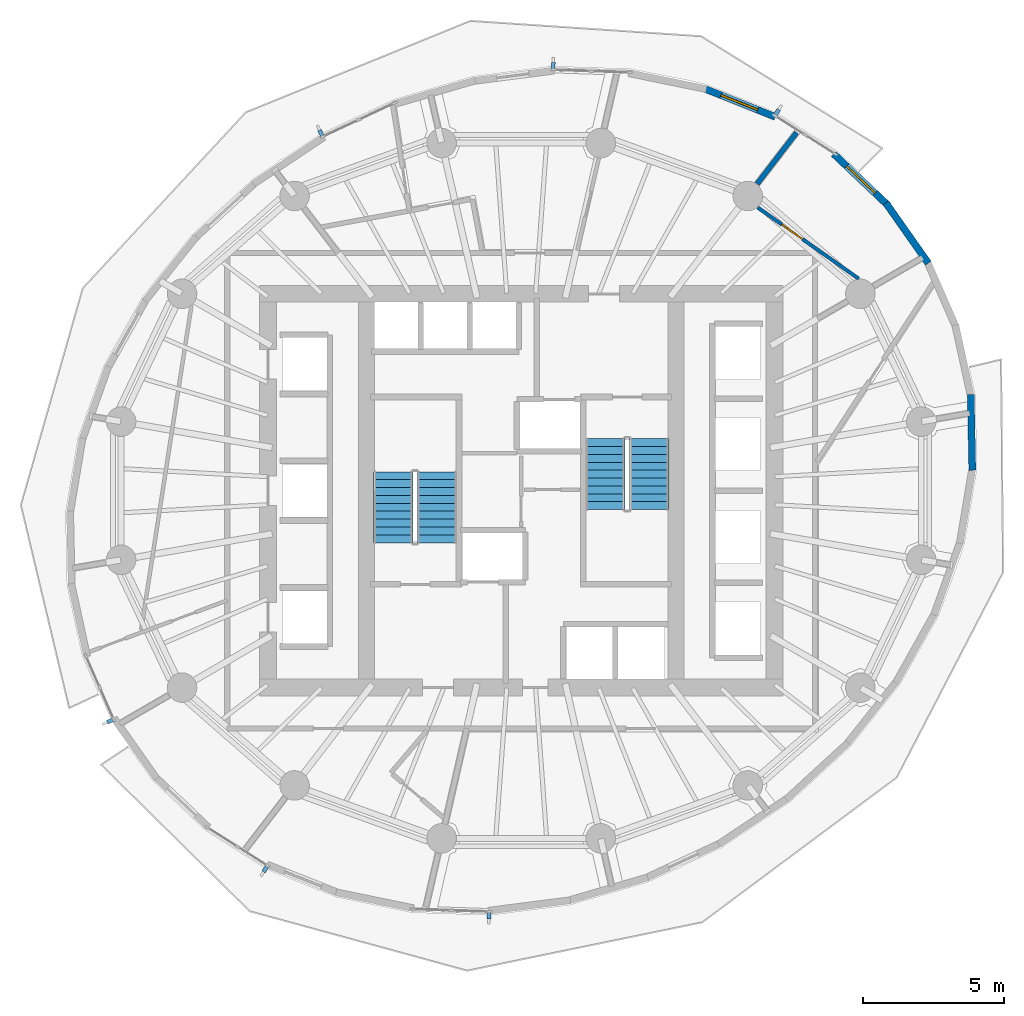
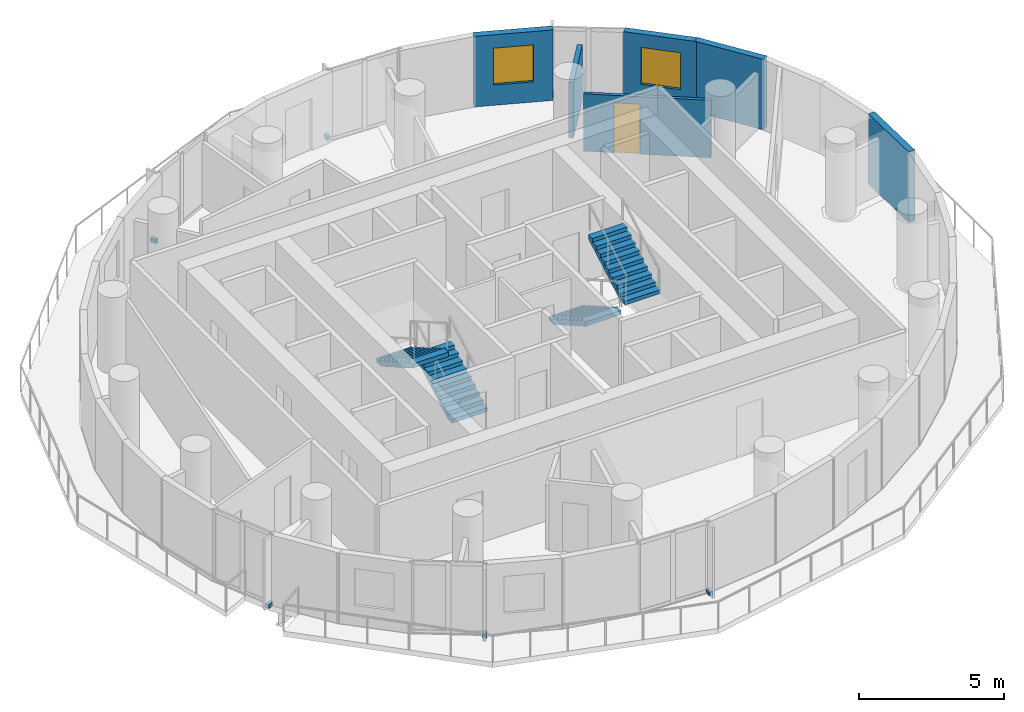
# One storey, part 8 of 13: 6 discrete accessories, 6 walls, 4 stair flights, 2 windows, 1 door, 3 openings, 2 elements without a shape of their own.
"""IFC4 building model written with IfcOpenShell, lengths in metres."""

from ifc_helpers import new_model, si_unit, direction, frame, frame_2d, origin, origin_2d, place, context, subcontext, project, spatial, polyline, rectangle, outline, extrude, material, layer, layer_set, type_object, element, fill, aggregate, save


model = new_model("IFC4")

# Units and contexts
model_context = context("Model", 3, precision=1e-05, world=origin(), true_north=direction((0.0, 1.0)))
body_context = subcontext(model_context, "Body", "Model", "MODEL_VIEW")
ifc_project = project(units=[si_unit("LENGTHUNIT", "METRE"), si_unit("AREAUNIT", "SQUARE_METRE"), si_unit("VOLUMEUNIT", "CUBIC_METRE"), si_unit("PLANEANGLEUNIT", "RADIAN"), si_unit("MASSUNIT", "GRAM", prefix="KILO")], contexts=[model_context])

# Site, building, storey
site_placement = place(None, origin())
site = spatial("IfcSite", under=ifc_project, at=site_placement, CompositionType="ELEMENT")
building_placement = place(site_placement, origin())
building = spatial("IfcBuilding", under=site, at=building_placement, Name="Veldorim Arch Residences", CompositionType="ELEMENT")
storey_placement = place(building_placement, frame((0.0, 0.0, 120.159912109375)))
storey = spatial("IfcBuildingStorey", under=building, at=storey_placement, Name="L35", CompositionType="ELEMENT", Elevation=120.159912109375)

# Wall, opening, door
ifc_material_1 = material(Name="Acoustic Gypsum Board", Category="gypsum")
ifc_layer_1 = layer(ifc_material_1, 0.125, Name="Acoustic Stud Room Partition Wall 125")
ifc_layer_set_1 = layer_set([ifc_layer_1], Name="Acoustic Gypsum Board")
wall_type_1 = type_object("IfcWallType", Name="Acoustic Stud Room Partition Wall 125", PredefinedType="PARTITIONING", material=ifc_layer_set_1)
wall_1_placement = place(storey_placement, frame((40.40771484375, 34.067138671875, 0.0), z_axis=(0.0, 0.0, 1.0), x_axis=(0.817418286796, -0.576044568078, 0.0)))
wall_1 = element("IfcWall", 1, at=wall_1_placement, inside=storey, type_object=wall_type_1, Name="L35 interior wall WL-RES-L35-014", PredefinedType="PARTITIONING", context=body_context, shape_type="SweptSolid", body=[
    extrude(rectangle(XDim=4.39892578125, YDim=0.125, at=frame_2d((2.199462890625, 0.0))), origin(), (0.0, 0.0, 1.0), 2.411376953125),
])
opening_1_placement = place(wall_1_placement, frame((1.049560546875, 0.0, 0.0)))
opening_1 = element("IfcOpeningElement", 2, at=opening_1_placement, cuts=wall_1, Name="Opening DR-INT", PredefinedType="OPENING", context=body_context, shape_type="SweptSolid", body=[
    extrude(rectangle(XDim=0.89990234375, YDim=2.10009765625, at=frame_2d((0.449951171875, 1.050048828125))), frame((0.0, 0.072509765625, 0.0), z_axis=(0.0, -1.0, 0.0), x_axis=(1.0, 0.0, 0.0)), (0.0, 0.0, 1.0), 0.14501953125),
])
ifc_material_2 = material(Name="Engineered Timber", Category="wood")
door_type = type_object("IfcDoorType", Name="Apartment Internal Room Timber Door 900x2100", OperationType="SINGLE_SWING_LEFT", PredefinedType="DOOR", material=ifc_material_2)
door_placement = place(opening_1_placement, origin())
door = element("IfcDoor", 3, at=door_placement, inside=storey, type_object=door_type, Name="L35 interior door DR-RES-L35-006", OperationType="SINGLE_SWING_RIGHT", OverallHeight=2.10009765625, OverallWidth=0.89990234375, PredefinedType="DOOR", context=body_context, shape_type="SweptSolid", body=[
    extrude(rectangle(XDim=0.89990234375, YDim=2.10009765625, at=frame_2d((0.449951171875, 1.050048828125))), frame((0.0, 0.02490234375, 0.0), z_axis=(0.0, -1.0, 0.0), x_axis=(1.0, 0.0, 0.0)), (0.0, 0.0, 1.0), 0.050048828125),
])
fill(opening_1, door)

# Walls
ifc_material_3 = material(Name="Lightweight Masonry Block & Gypsum", Category="masonry")
ifc_layer_2 = layer(ifc_material_3, 0.179931640625, Name="Compartment & Corridor Fire-Rated Party Wall 180")
ifc_layer_set_2 = layer_set([ifc_layer_2], Name="Lightweight Masonry Block & Gypsum")
wall_type_2 = type_object("IfcWallType", Name="Compartment & Corridor Fire-Rated Party Wall 180", PredefinedType="PARTITIONING", material=ifc_layer_set_2)
wall_2_placement = place(storey_placement, frame((40.387939453125, 34.908447265625, 0.0), z_axis=(0.0, 0.0, 1.0), x_axis=(0.609546695458, 0.792750166229, 0.0)))
element("IfcWall", 4, at=wall_2_placement, inside=storey, type_object=wall_type_2, Name="L35 interior wall WL-PIER-L35-03", PredefinedType="PARTITIONING", context=body_context, shape_type="SweptSolid", body=[
    extrude(rectangle(XDim=2.301513671875, YDim=0.179931640625, at=frame_2d((1.15087890625, 0.0))), origin(), (0.0, 0.0, 1.0), 2.3359375),
])
ifc_material_4 = material(Name="Precast concrete C40/50", Category="concrete")
ifc_layer_3 = layer(ifc_material_4, 0.25, Name="Tower Terracotta Spandrel & Pier Wall 250")
ifc_layer_set_3 = layer_set([ifc_layer_3], Name="Precast concrete C40/50")
wall_type_3 = type_object("IfcWallType", Name="Tower Terracotta Spandrel & Pier Wall 250", PredefinedType="SOLIDWALL", material=ifc_layer_set_3)
wall_3_placement = place(storey_placement, frame((44.96240234375, 34.235107421875, 0.0), z_axis=(0.0, 0.0, 1.0), x_axis=(0.575627066149, -0.817712345949, 0.0)))
element("IfcWall", 5, at=wall_3_placement, inside=storey, type_object=wall_type_3, Name="L35 terracotta facade wall 01", PredefinedType="SOLIDWALL", context=body_context, shape_type="SweptSolid", body=[
    extrude(rectangle(XDim=2.6240234375, YDim=0.25, at=frame_2d((1.31201171875, 0.0))), origin(), (0.0, 0.0, 1.0), 2.960205078125),
])

# Wall, opening, window
wall_4_placement = place(storey_placement, frame((43.115234375, 35.970458984375, 0.0), z_axis=(0.0, 0.0, 1.0), x_axis=(0.725707968309, -0.688002866805, 0.0)))
wall_4 = element("IfcWall", 6, at=wall_4_placement, inside=storey, type_object=wall_type_3, Name="L35 terracotta facade wall 02", PredefinedType="SOLIDWALL", context=body_context, shape_type="SweptSolid", body=[
    extrude(rectangle(XDim=2.648193359375, YDim=0.25, at=frame_2d((1.32421875, 0.0))), origin(), (0.0, 0.0, 1.0), 2.960205078125),
])
opening_2_placement = place(wall_4_placement, frame((0.6240234375, 0.0, 0.85009765625)))
opening_2 = element("IfcOpeningElement", 7, at=opening_2_placement, cuts=wall_4, Name="Opening WN-02", PredefinedType="OPENING", context=body_context, shape_type="SweptSolid", body=[
    extrude(rectangle(XDim=1.39990234375, YDim=1.550048828125, at=frame_2d((0.699951171875, 0.77490234375))), frame((0.0, 0.135009765625, 0.0), z_axis=(0.0, -1.0, 0.0), x_axis=(1.0, 0.0, 0.0)), (0.0, 0.0, 1.0), 0.27001953125),
])
ifc_material_5 = material(Name="Laminated Low-E Glass", Category="glass")
window_type = type_object("IfcWindowType", Name="Residential Casement Window 1400x1550", PartitioningType="SINGLE_PANEL", PredefinedType="WINDOW", material=ifc_material_5)
window_1_placement = place(opening_2_placement, origin())
window_1 = element("IfcWindow", 8, at=window_1_placement, inside=storey, type_object=window_type, Name="L35 solar-control facade window 02", OverallHeight=1.550048828125, OverallWidth=1.39990234375, PartitioningType="SINGLE_PANEL", PredefinedType="WINDOW", context=body_context, shape_type="SweptSolid", body=[
    extrude(rectangle(XDim=1.39990234375, YDim=1.550048828125, at=frame_2d((0.699951171875, 0.77490234375))), frame((0.0, 0.030029296875, 0.0), z_axis=(0.0, -1.0, 0.0), x_axis=(1.0, 0.0, 0.0)), (0.0, 0.0, 1.0), 0.06005859375),
])
fill(opening_2, window_1)

wall_5_placement = place(storey_placement, frame((38.4755859375, 38.31201171875, 0.0), z_axis=(0.0, 0.0, 1.0), x_axis=(0.928770081868, -0.370656357058, 0.0)))
wall_5 = element("IfcWall", 9, at=wall_5_placement, inside=storey, type_object=wall_type_3, Name="L35 terracotta facade wall 04", PredefinedType="SOLIDWALL", context=body_context, shape_type="SweptSolid", body=[
    extrude(rectangle(XDim=2.751953125, YDim=0.25, at=frame_2d((1.3759765625, 0.0))), origin(), (0.0, 0.0, 1.0), 2.960205078125),
])
opening_3_placement = place(wall_5_placement, frame((0.676025390625, 0.0, 0.85009765625)))
opening_3 = element("IfcOpeningElement", 10, at=opening_3_placement, cuts=wall_5, Name="Opening WN-02", PredefinedType="OPENING", context=body_context, shape_type="SweptSolid", body=[
    extrude(rectangle(XDim=1.39990234375, YDim=1.550048828125, at=frame_2d((0.699951171875, 0.77490234375))), frame((0.0, 0.135009765625, 0.0), z_axis=(0.0, -1.0, 0.0), x_axis=(1.0, 0.0, 0.0)), (0.0, 0.0, 1.0), 0.27001953125),
])
window_2_placement = place(opening_3_placement, origin())
window_2 = element("IfcWindow", 11, at=window_2_placement, inside=storey, type_object=window_type, Name="L35 solar-control facade window 04", OverallHeight=1.550048828125, OverallWidth=1.39990234375, PartitioningType="SINGLE_PANEL", PredefinedType="WINDOW", context=body_context, shape_type="SweptSolid", body=[
    extrude(rectangle(XDim=1.39990234375, YDim=1.550048828125, at=frame_2d((0.699951171875, 0.77490234375))), frame((0.0, 0.030029296875, 0.0), z_axis=(0.0, -1.0, 0.0), x_axis=(1.0, 0.0, 0.0)), (0.0, 0.0, 1.0), 0.06005859375),
])
fill(opening_3, window_2)

# Wall
wall_6_placement = place(storey_placement, frame((47.98388671875, 27.41943359375, 0.0), z_axis=(0.0, 0.0, 1.0), x_axis=(0.020851468483, -0.999782584496, 0.0)))
element("IfcWall", 12, at=wall_6_placement, inside=storey, type_object=wall_type_3, Name="L35 terracotta facade wall 34", PredefinedType="SOLIDWALL", context=body_context, shape_type="SweptSolid", body=[
    extrude(rectangle(XDim=2.69287109375, YDim=0.25, at=frame_2d((1.346435546875, 0.0))), origin(), (0.0, 0.0, 1.0), 2.960205078125),
])

# Stair, stair flights
ifc_material_6 = material(Name="Concrete C40/50", Category="concrete")
stair_type = type_object("IfcStairType", Name="Reinforced Concrete Dogleg Exit Staircase", PredefinedType="HALF_TURN_STAIR", material=ifc_material_6)
stair_1_placement = place(storey_placement, origin())
stair_1 = element("IfcStair", 13, at=stair_1_placement, inside=storey, type_object=stair_type, Name="L35 Exit Staircase ST-1", PredefinedType="HALF_TURN_STAIR")
ifc_material_7 = material(Name="Concrete C40/50", Category="concrete")
stair_flight_type = type_object("IfcStairFlightType", Name="Reinforced Concrete Stair Flight 1400", PredefinedType="STRAIGHT", material=ifc_material_7)
stair_flight_1_placement = place(storey_placement, frame((29.010009765625, 22.14990234375, 0.0), z_axis=(0.0, 0.0, 1.0), x_axis=(0.0, 1.0, 0.0)))
stair_flight_1 = element("IfcStairFlight", 14, at=stair_flight_1_placement, type_object=stair_flight_type, Name="ST-1 flight 1", NumberOfRisers=10, NumberOfTreads=9, PredefinedType="STRAIGHT", RiserHeight=0.16, TreadLength=0.28, context=body_context, shape_type="SweptSolid", body=[
    extrude(outline(polyline([(0.0, 0.0), (0.0, 0.159912109375), (0.280029296875, 0.159912109375), (0.280029296875, 0.320068359375), (0.56005859375, 0.320068359375), (0.56005859375, 0.47998046875), (0.840087890625, 0.47998046875), (0.840087890625, 0.639892578125), (1.1201171875, 0.639892578125), (1.1201171875, 0.800048828125), (1.39990234375, 0.800048828125), (1.39990234375, 0.9599609375), (1.679931640625, 0.9599609375), (1.679931640625, 1.1201171875), (1.9599609375, 1.1201171875), (1.9599609375, 1.280029296875), (2.239990234375, 1.280029296875), (2.239990234375, 1.43994140625), (2.52001953125, 1.43994140625), (2.52001953125, 1.60009765625), (2.52001953125, 1.255859375), (0.322265625, 0.0), (0.0, 0.0)])), frame((0.0, 0.699951171875, 0.0), z_axis=(0.0, -1.0, 0.0), x_axis=(1.0, 0.0, 0.0)), (0.0, 0.0, 1.0), 1.39990234375),
])
stair_flight_2_placement = place(storey_placement, frame((27.449951171875, 24.669921875, 1.60009765625), z_axis=(0.0, 0.0, 1.0), x_axis=(0.0, -1.0, 0.0)))
stair_flight_2 = element("IfcStairFlight", 15, at=stair_flight_2_placement, type_object=stair_flight_type, Name="ST-1 flight 2", NumberOfRisers=10, NumberOfTreads=9, PredefinedType="STRAIGHT", RiserHeight=0.16, TreadLength=0.28, context=body_context, shape_type="SweptSolid", body=[
    extrude(outline(polyline([(0.0, 0.0), (0.0, 0.159912109375), (0.280029296875, 0.159912109375), (0.280029296875, 0.320068359375), (0.56005859375, 0.320068359375), (0.56005859375, 0.47998046875), (0.840087890625, 0.47998046875), (0.840087890625, 0.639892578125), (1.1201171875, 0.639892578125), (1.1201171875, 0.800048828125), (1.39990234375, 0.800048828125), (1.39990234375, 0.9599609375), (1.679931640625, 0.9599609375), (1.679931640625, 1.1201171875), (1.9599609375, 1.1201171875), (1.9599609375, 1.280029296875), (2.239990234375, 1.280029296875), (2.239990234375, 1.43994140625), (2.52001953125, 1.43994140625), (2.52001953125, 1.60009765625), (2.52001953125, 1.255859375), (0.322265625, 0.0), (0.0, 0.0)])), frame((0.0, 0.699951171875, 0.0), z_axis=(0.0, -1.0, 0.0), x_axis=(1.0, 0.0, 0.0)), (0.0, 0.0, 1.0), 1.39990234375),
])
aggregate(stair_1, [stair_flight_1, stair_flight_2])

stair_2_placement = place(storey_placement, origin())
stair_2 = element("IfcStair", 16, at=stair_2_placement, inside=storey, type_object=stair_type, Name="L35 Exit Staircase ST-2", PredefinedType="HALF_TURN_STAIR")
stair_flight_3_placement = place(storey_placement, frame((34.989990234375, 25.85009765625, 0.0), z_axis=(0.0, 0.0, 1.0), x_axis=(0.0, -1.0, 0.0)))
stair_flight_3 = element("IfcStairFlight", 17, at=stair_flight_3_placement, type_object=stair_flight_type, Name="ST-2 flight 1", NumberOfRisers=10, NumberOfTreads=9, PredefinedType="STRAIGHT", RiserHeight=0.16, TreadLength=0.28, context=body_context, shape_type="SweptSolid", body=[
    extrude(outline(polyline([(0.0, 0.0), (0.0, 0.159912109375), (0.280029296875, 0.159912109375), (0.280029296875, 0.320068359375), (0.56005859375, 0.320068359375), (0.56005859375, 0.47998046875), (0.840087890625, 0.47998046875), (0.840087890625, 0.639892578125), (1.1201171875, 0.639892578125), (1.1201171875, 0.800048828125), (1.39990234375, 0.800048828125), (1.39990234375, 0.9599609375), (1.679931640625, 0.9599609375), (1.679931640625, 1.1201171875), (1.9599609375, 1.1201171875), (1.9599609375, 1.280029296875), (2.239990234375, 1.280029296875), (2.239990234375, 1.43994140625), (2.52001953125, 1.43994140625), (2.52001953125, 1.60009765625), (2.52001953125, 1.255859375), (0.322265625, 0.0), (0.0, 0.0)])), frame((0.0, 0.699951171875, 0.0), z_axis=(0.0, -1.0, 0.0), x_axis=(1.0, 0.0, 0.0)), (0.0, 0.0, 1.0), 1.39990234375),
])
stair_flight_4_placement = place(storey_placement, frame((36.550048828125, 23.330078125, 1.60009765625), z_axis=(0.0, 0.0, 1.0), x_axis=(0.0, 1.0, 0.0)))
stair_flight_4 = element("IfcStairFlight", 18, at=stair_flight_4_placement, type_object=stair_flight_type, Name="ST-2 flight 2", NumberOfRisers=10, NumberOfTreads=9, PredefinedType="STRAIGHT", RiserHeight=0.16, TreadLength=0.28, context=body_context, shape_type="SweptSolid", body=[
    extrude(outline(polyline([(0.0, 0.0), (0.0, 0.159912109375), (0.280029296875, 0.159912109375), (0.280029296875, 0.320068359375), (0.56005859375, 0.320068359375), (0.56005859375, 0.47998046875), (0.840087890625, 0.47998046875), (0.840087890625, 0.639892578125), (1.1201171875, 0.639892578125), (1.1201171875, 0.800048828125), (1.39990234375, 0.800048828125), (1.39990234375, 0.9599609375), (1.679931640625, 0.9599609375), (1.679931640625, 1.1201171875), (1.9599609375, 1.1201171875), (1.9599609375, 1.280029296875), (2.239990234375, 1.280029296875), (2.239990234375, 1.43994140625), (2.52001953125, 1.43994140625), (2.52001953125, 1.60009765625), (2.52001953125, 1.255859375), (0.322265625, 0.0), (0.0, 0.0)])), frame((0.0, 0.699951171875, 0.0), z_axis=(0.0, -1.0, 0.0), x_axis=(1.0, 0.0, 0.0)), (0.0, 0.0, 1.0), 1.39990234375),
])
aggregate(stair_2, [stair_flight_3, stair_flight_4])

# Discrete accessories
ifc_material_8 = material(Name="Stainless Steel", Category="steel")
discrete_accessory_type = type_object("IfcDiscreteAccessoryType", Name="Stainless Steel Facade Fin Anchor Bracket", PredefinedType="BRACKET", material=ifc_material_8)
for number, where, z_axis, x_axis, name in (
    (19, (41.092529296875, 37.4482421875, -0.02001953125), (0.0, 0.0, 1.0), (0.844327925502, -0.535826794979, 0.0), "L35 stainless fin anchor bracket 03"),
    (20, (33.138427734375, 39.10302734375, -0.02001953125), (0.0, 0.0, 1.0), (0.999432718929, -0.033678484729, 0.0), "L35 stainless fin anchor bracket 06"),
    (21, (24.882568359375, 36.710205078125, -0.02001953125), (0.0, 0.0, 1.0), (0.90593863798, 0.423409003465, 0.0), "L35 stainless fin anchor bracket 09"),
    (22, (17.390869140625, 15.81396484375, -0.02001953125), (0.0, 0.0, 1.0), (-0.401148557352, 0.916013010243, 0.0), "L35 stainless fin anchor bracket 18"),
    (23, (22.907470703125, 10.5517578125, -0.02001953125), (0.0, 0.0, 1.0), (-0.844327925502, 0.535826794979, 0.0), "L35 stainless fin anchor bracket 21"),
    (24, (30.861572265625, 8.89697265625, -0.02001953125), (0.0, 0.0, 1.0), (-0.999432718929, 0.033678484729, 0.0), "L35 stainless fin anchor bracket 24"),
):
    element("IfcDiscreteAccessory", number, at=place(storey_placement, frame(where, z_axis=z_axis, x_axis=x_axis)), inside=storey, type_object=discrete_accessory_type, Name=name, PredefinedType="BRACKET", context=body_context, shape_type="SweptSolid", body=[
        extrude(rectangle(XDim=0.139892578125, YDim=0.239990234375, at=origin_2d()), origin(), (0.0, 0.0, 1.0), 0.159912109375),
    ])

save(model, "model.ifc")
